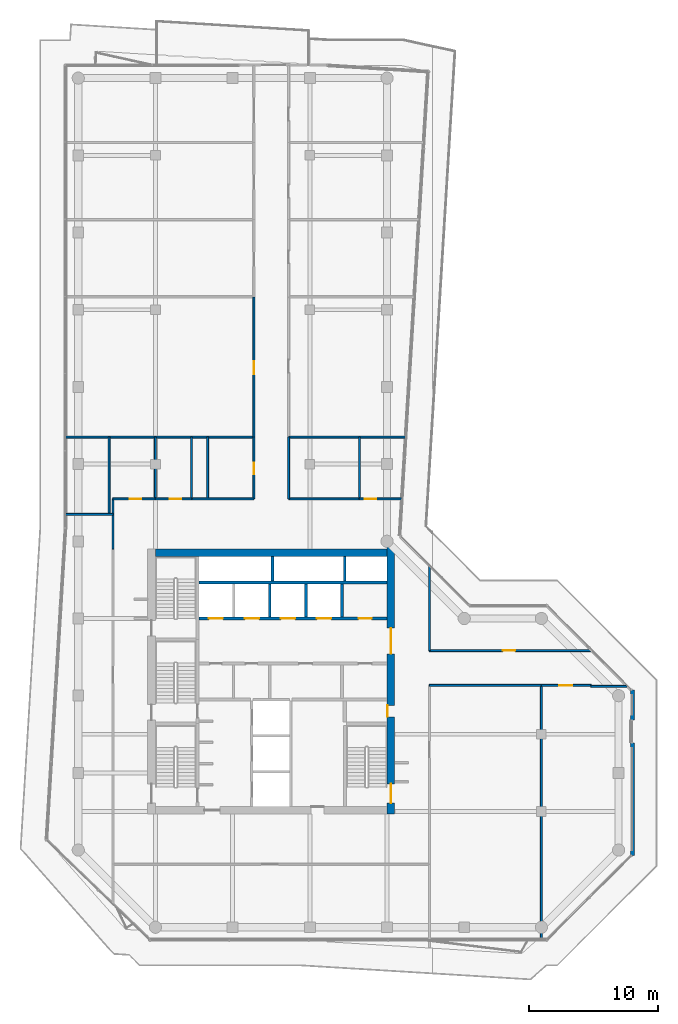
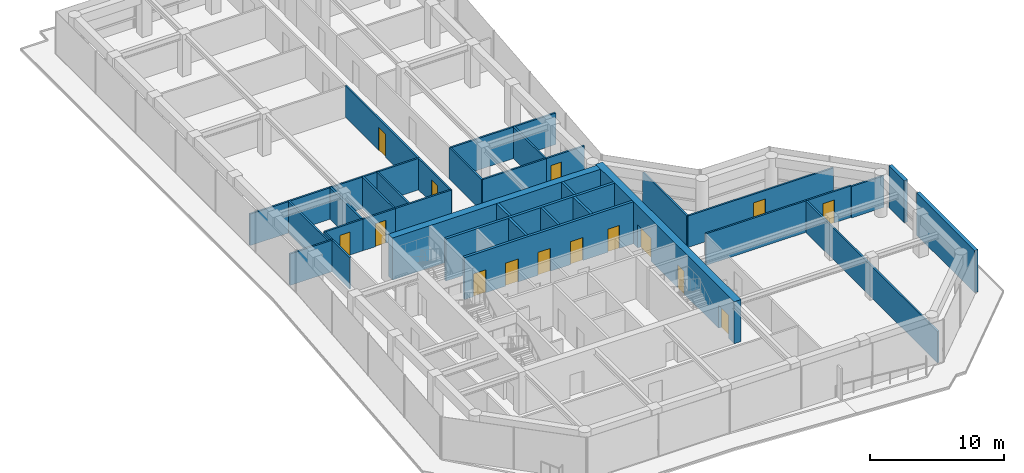
# One storey, part 19 of 22: 34 walls, 15 doors, 15 openings.
"""IFC4 building model written with IfcOpenShell, lengths in metres."""

from ifc_helpers import new_model, si_unit, direction, frame, frame_2d, origin, place, context, subcontext, project, spatial, rectangle, extrude, material, layer, layer_set, type_object, element, fill, save


model = new_model("IFC4")

# Units and contexts
model_context = context("Model", 3, precision=1e-05, world=origin(), true_north=direction((0.0, 1.0)))
body_context = subcontext(model_context, "Body", "Model", "MODEL_VIEW")
ifc_project = project(units=[si_unit("LENGTHUNIT", "METRE"), si_unit("AREAUNIT", "SQUARE_METRE"), si_unit("VOLUMEUNIT", "CUBIC_METRE"), si_unit("PLANEANGLEUNIT", "RADIAN"), si_unit("MASSUNIT", "GRAM", prefix="KILO")], contexts=[model_context])

# Site, building, storey
site_placement = place(None, origin())
site = spatial("IfcSite", under=ifc_project, at=site_placement, CompositionType="ELEMENT")
building_placement = place(site_placement, origin())
building = spatial("IfcBuilding", under=site, at=building_placement, Name="Welwitschia Terrace Campus", CompositionType="ELEMENT")
storey_placement = place(building_placement, frame((0.0, 0.0, 155.0)))
storey = spatial("IfcBuildingStorey", under=building, at=storey_placement, Name="L34", CompositionType="ELEMENT", Elevation=155.0)

# Wall, openings, doors
ifc_material_1 = material(Name="Concrete C32/40", Category="concrete")
ifc_layer_1 = layer(ifc_material_1, 0.22509765625)
ifc_layer_set_1 = layer_set([ifc_layer_1], Name="Concrete C32/40")
wall_type_1 = type_object("IfcWallType", Name="Core partition 225 Concrete C32/40", PredefinedType="PARTITIONING", material=ifc_layer_set_1)
wall_1_placement = place(storey_placement, frame((24.0, 20.0, 0.0), z_axis=(0.0, 0.0, 1.0), x_axis=(-1.0, 0.0, 0.0)))
wall_1 = element("IfcWall", 1, at=wall_1_placement, inside=storey, type_object=wall_type_1, Name="Shaft wall", PredefinedType="PARTITIONING", context=body_context, shape_type="SweptSolid", body=[
    extrude(rectangle(XDim=14.60009765625, YDim=0.22509765625, at=frame_2d((7.300048828125, 0.0))), origin(), (0.0, 0.0, 1.0), 3.85009765625),
])
opening_1_placement = place(wall_1_placement, frame((12.75, 0.0, 0.0)))
opening_1 = element("IfcOpeningElement", 2, at=opening_1_placement, cuts=wall_1, Name="Opening LD", PredefinedType="OPENING", context=body_context, shape_type="SweptSolid", body=[
    extrude(rectangle(XDim=1.10009765625, YDim=2.10009765625, at=frame_2d((0.550048828125, 1.050048828125))), frame((0.0, 0.12255859375, 0.0), z_axis=(0.0, -1.0, 0.0), x_axis=(1.0, 0.0, 0.0)), (0.0, 0.0, 1.0), 0.2451171875),
])
opening_2_placement = place(wall_1_placement, frame((9.949951171875, 0.0, 0.0)))
opening_2 = element("IfcOpeningElement", 3, at=opening_2_placement, cuts=wall_1, Name="Opening LD", PredefinedType="OPENING", context=body_context, shape_type="SweptSolid", body=[
    extrude(rectangle(XDim=1.10009765625, YDim=2.10009765625, at=frame_2d((0.550048828125, 1.050048828125))), frame((0.0, 0.12255859375, 0.0), z_axis=(0.0, -1.0, 0.0), x_axis=(1.0, 0.0, 0.0)), (0.0, 0.0, 1.0), 0.2451171875),
])
opening_3_placement = place(wall_1_placement, frame((7.14990234375, 0.0, 0.0)))
opening_3 = element("IfcOpeningElement", 4, at=opening_3_placement, cuts=wall_1, Name="Opening LD", PredefinedType="OPENING", context=body_context, shape_type="SweptSolid", body=[
    extrude(rectangle(XDim=1.10009765625, YDim=2.10009765625, at=frame_2d((0.550048828125, 1.050048828125))), frame((0.0, 0.12255859375, 0.0), z_axis=(0.0, -1.0, 0.0), x_axis=(1.0, 0.0, 0.0)), (0.0, 0.0, 1.0), 0.2451171875),
])
opening_4_placement = place(wall_1_placement, frame((4.35009765625, 0.0, 0.0)))
opening_4 = element("IfcOpeningElement", 5, at=opening_4_placement, cuts=wall_1, Name="Opening LD", PredefinedType="OPENING", context=body_context, shape_type="SweptSolid", body=[
    extrude(rectangle(XDim=1.10009765625, YDim=2.10009765625, at=frame_2d((0.550048828125, 1.050048828125))), frame((0.0, 0.12255859375, 0.0), z_axis=(0.0, -1.0, 0.0), x_axis=(1.0, 0.0, 0.0)), (0.0, 0.0, 1.0), 0.2451171875),
])
opening_5_placement = place(wall_1_placement, frame((1.199951171875, 0.0, 0.0)))
opening_5 = element("IfcOpeningElement", 6, at=opening_5_placement, cuts=wall_1, Name="Opening DR10", PredefinedType="OPENING", context=body_context, shape_type="SweptSolid", body=[
    extrude(rectangle(XDim=1.0, YDim=2.10009765625, at=frame_2d((0.5, 1.050048828125))), frame((0.0, 0.12255859375, 0.0), z_axis=(0.0, -1.0, 0.0), x_axis=(1.0, 0.0, 0.0)), (0.0, 0.0, 1.0), 0.2451171875),
])
ifc_material_2 = material(Name="Steel S275", Category="steel")
door_type_1 = type_object("IfcDoorType", Name="Core door DR10", OperationType="SINGLE_SWING_LEFT", PredefinedType="DOOR", material=ifc_material_2)
door_1_placement = place(opening_5_placement, origin())
door_1 = element("IfcDoor", 7, at=door_1_placement, inside=storey, type_object=door_type_1, Name="Door EH-D", OperationType="SINGLE_SWING_LEFT", OverallHeight=2.10009765625, OverallWidth=1.0, PredefinedType="DOOR", context=body_context, shape_type="SweptSolid", body=[
    extrude(rectangle(XDim=1.0, YDim=2.10009765625, at=frame_2d((0.5, 1.050048828125))), frame((0.0, 0.02490234375, 0.0), z_axis=(0.0, -1.0, 0.0), x_axis=(1.0, 0.0, 0.0)), (0.0, 0.0, 1.0), 0.050048828125),
])
fill(opening_5, door_1)
ifc_material_3 = material(Name="Stainless steel 304", Category="steel")
door_type_2 = type_object("IfcDoorType", Name="Lift landing door", OperationType="DOUBLE_DOOR_SLIDING", PredefinedType="DOOR", material=ifc_material_3)
door_2_placement = place(opening_1_placement, origin())
door_2 = element("IfcDoor", 8, at=door_2_placement, inside=storey, type_object=door_type_2, Name="Landing door HR1", OperationType="DOUBLE_DOOR_SLIDING", OverallHeight=2.10009765625, OverallWidth=1.10009765625, PredefinedType="DOOR", context=body_context, shape_type="SweptSolid", body=[
    extrude(rectangle(XDim=1.10009765625, YDim=2.10009765625, at=frame_2d((0.550048828125, 1.050048828125))), frame((0.0, 0.02490234375, 0.0), z_axis=(0.0, -1.0, 0.0), x_axis=(1.0, 0.0, 0.0)), (0.0, 0.0, 1.0), 0.050048828125),
])
fill(opening_1, door_2)
door_3_placement = place(opening_2_placement, origin())
door_3 = element("IfcDoor", 9, at=door_3_placement, inside=storey, type_object=door_type_2, Name="Landing door HR2", OperationType="DOUBLE_DOOR_SLIDING", OverallHeight=2.10009765625, OverallWidth=1.10009765625, PredefinedType="DOOR", context=body_context, shape_type="SweptSolid", body=[
    extrude(rectangle(XDim=1.10009765625, YDim=2.10009765625, at=frame_2d((0.550048828125, 1.050048828125))), frame((0.0, 0.02490234375, 0.0), z_axis=(0.0, -1.0, 0.0), x_axis=(1.0, 0.0, 0.0)), (0.0, 0.0, 1.0), 0.050048828125),
])
fill(opening_2, door_3)
door_4_placement = place(opening_3_placement, origin())
door_4 = element("IfcDoor", 10, at=door_4_placement, inside=storey, type_object=door_type_2, Name="Landing door HR3", OperationType="DOUBLE_DOOR_SLIDING", OverallHeight=2.10009765625, OverallWidth=1.10009765625, PredefinedType="DOOR", context=body_context, shape_type="SweptSolid", body=[
    extrude(rectangle(XDim=1.10009765625, YDim=2.10009765625, at=frame_2d((0.550048828125, 1.050048828125))), frame((0.0, 0.02490234375, 0.0), z_axis=(0.0, -1.0, 0.0), x_axis=(1.0, 0.0, 0.0)), (0.0, 0.0, 1.0), 0.050048828125),
])
fill(opening_3, door_4)
door_5_placement = place(opening_4_placement, origin())
door_5 = element("IfcDoor", 11, at=door_5_placement, inside=storey, type_object=door_type_2, Name="Landing door HR4", OperationType="DOUBLE_DOOR_SLIDING", OverallHeight=2.10009765625, OverallWidth=1.10009765625, PredefinedType="DOOR", context=body_context, shape_type="SweptSolid", body=[
    extrude(rectangle(XDim=1.10009765625, YDim=2.10009765625, at=frame_2d((0.550048828125, 1.050048828125))), frame((0.0, 0.02490234375, 0.0), z_axis=(0.0, -1.0, 0.0), x_axis=(1.0, 0.0, 0.0)), (0.0, 0.0, 1.0), 0.050048828125),
])
fill(opening_4, door_5)

# Walls
wall_2_placement = place(storey_placement, frame((9.39990234375, 22.800048828125, 0.0), z_axis=(0.0, 0.0, 1.0), x_axis=(1.0, 0.0, 0.0)))
element("IfcWall", 12, at=wall_2_placement, inside=storey, type_object=wall_type_1, Name="Shaft wall", PredefinedType="PARTITIONING", context=body_context, shape_type="SweptSolid", body=[
    extrude(rectangle(XDim=14.60009765625, YDim=0.22509765625, at=frame_2d((7.300048828125, 0.0))), origin(), (0.0, 0.0, 1.0), 3.85009765625),
])
wall_3_placement = place(storey_placement, frame((20.5, 20.10009765625, 0.0), z_axis=(0.0, 0.0, 1.0), x_axis=(0.0, 1.0, 0.0)))
element("IfcWall", 13, at=wall_3_placement, inside=storey, type_object=wall_type_1, Name="Shaft wall", PredefinedType="PARTITIONING", context=body_context, shape_type="SweptSolid", body=[
    extrude(rectangle(XDim=2.599853515625, YDim=0.22509765625, at=frame_2d((1.2998046875, 0.0))), origin(), (0.0, 0.0, 1.0), 3.85009765625),
])
ifc_material_4 = material(Name="Concrete C50/60", Category="concrete")
ifc_layer_2 = layer(ifc_material_4, 0.199951171875)
ifc_layer_set_2 = layer_set([ifc_layer_2], Name="Concrete C50/60")
wall_type_2 = type_object("IfcWallType", Name="Core wall 200 Concrete C50/60", PredefinedType="SHEAR", material=ifc_layer_set_2)
for number, where, z_axis, x_axis, name in (
    (14, (15.10009765625, 22.89990234375, 0.0), (0.0, 0.0, 1.0), (0.0, 1.0, 0.0), "Core wall"),
    (15, (20.699951171875, 22.89990234375, 0.0), (0.0, 0.0, 1.0), (0.0, 1.0, 0.0), "Core wall"),
):
    element("IfcWall", number, at=place(storey_placement, frame(where, z_axis=z_axis, x_axis=x_axis)), inside=storey, type_object=wall_type_2, Name=name, PredefinedType="SHEAR", context=body_context, shape_type="SweptSolid", body=[
        extrude(rectangle(XDim=1.900146484375, YDim=0.199951171875, at=frame_2d((0.9501953125, 0.0))), origin(), (0.0, 0.0, 1.0), 3.85009765625),
    ])

# Wall, openings, doors
ifc_material_5 = material(Name="Concrete C60/75", Category="concrete")
ifc_layer_3 = layer(ifc_material_5, 0.60009765625)
ifc_layer_set_3 = layer_set([ifc_layer_3], Name="Concrete C60/75")
wall_type_3 = type_object("IfcWallType", Name="Core wall 600 Concrete C60/75", PredefinedType="SHEAR", material=ifc_layer_set_3)
wall_4_placement = place(storey_placement, frame((24.300048828125, 25.554931640625, 0.0), z_axis=(0.0, 0.0, 1.0), x_axis=(0.0, -1.0, 0.0)))
wall_4 = element("IfcWall", 16, at=wall_4_placement, inside=storey, type_object=wall_type_3, Name="Core outer wall", PredefinedType="SHEAR", context=body_context, shape_type="SweptSolid", body=[
    extrude(rectangle(XDim=20.7548828125, YDim=0.60009765625, at=frame_2d((10.37744140625, 0.0))), origin(), (0.0, 0.0, 1.0), 3.85009765625),
])
opening_6_placement = place(wall_4_placement, frame((18.405029296875, 0.0, 0.0)))
opening_6 = element("IfcOpeningElement", 17, at=opening_6_placement, cuts=wall_4, Name="Opening DS15", PredefinedType="OPENING", context=body_context, shape_type="SweptSolid", body=[
    extrude(rectangle(XDim=1.5, YDim=2.10009765625, at=frame_2d((0.75, 1.050048828125))), frame((0.0, 0.31005859375, 0.0), z_axis=(0.0, -1.0, 0.0), x_axis=(1.0, 0.0, 0.0)), (0.0, 0.0, 1.0), 0.6201171875),
])
opening_7_placement = place(wall_4_placement, frame((12.304931640625, 0.0, 0.0)))
opening_7 = element("IfcOpeningElement", 18, at=opening_7_placement, cuts=wall_4, Name="Opening DR09", PredefinedType="OPENING", context=body_context, shape_type="SweptSolid", body=[
    extrude(rectangle(XDim=0.89990234375, YDim=2.10009765625, at=frame_2d((0.449951171875, 1.050048828125))), frame((0.0, 0.31005859375, 0.0), z_axis=(0.0, -1.0, 0.0), x_axis=(1.0, 0.0, 0.0)), (0.0, 0.0, 1.0), 0.6201171875),
])
opening_8_placement = place(wall_4_placement, frame((6.304931640625, 0.0, 0.0)))
opening_8 = element("IfcOpeningElement", 19, at=opening_8_placement, cuts=wall_4, Name="Opening DL20", PredefinedType="OPENING", context=body_context, shape_type="SweptSolid", body=[
    extrude(rectangle(XDim=2.0, YDim=2.10009765625, at=frame_2d((1.0, 1.050048828125))), frame((0.0, 0.31005859375, 0.0), z_axis=(0.0, -1.0, 0.0), x_axis=(1.0, 0.0, 0.0)), (0.0, 0.0, 1.0), 0.6201171875),
])
ifc_material_6 = material(Name="Steel S275", Category="steel")
door_type_3 = type_object("IfcDoorType", Name="Core door DL20", OperationType="DOUBLE_DOOR_SINGLE_SWING", PredefinedType="DOOR", material=ifc_material_6)
door_6_placement = place(opening_8_placement, origin())
door_6 = element("IfcDoor", 20, at=door_6_placement, inside=storey, type_object=door_type_3, Name="Door LOBBY-out", OperationType="DOUBLE_DOOR_SINGLE_SWING", OverallHeight=2.10009765625, OverallWidth=2.0, PredefinedType="DOOR", context=body_context, shape_type="SweptSolid", body=[
    extrude(rectangle(XDim=2.0, YDim=2.10009765625, at=frame_2d((1.0, 1.050048828125))), frame((0.0, 0.02490234375, 0.0), z_axis=(0.0, -1.0, 0.0), x_axis=(1.0, 0.0, 0.0)), (0.0, 0.0, 1.0), 0.050048828125),
])
fill(opening_8, door_6)
ifc_material_7 = material(Name="Steel S275", Category="steel")
door_type_4 = type_object("IfcDoorType", Name="Core door DR09", OperationType="SINGLE_SWING_LEFT", PredefinedType="DOOR", material=ifc_material_7)
door_7_placement = place(opening_7_placement, origin())
door_7 = element("IfcDoor", 21, at=door_7_placement, inside=storey, type_object=door_type_4, Name="Door F1B-out", OperationType="SINGLE_SWING_RIGHT", OverallHeight=2.10009765625, OverallWidth=0.89990234375, PredefinedType="DOOR", context=body_context, shape_type="SweptSolid", body=[
    extrude(rectangle(XDim=0.89990234375, YDim=2.10009765625, at=frame_2d((0.449951171875, 1.050048828125))), frame((0.0, -0.23974609375, 0.0), z_axis=(0.0, -1.0, 0.0), x_axis=(1.0, 0.0, 0.0)), (0.0, 0.0, 1.0), 0.050048828125),
])
fill(opening_7, door_7)
ifc_material_8 = material(Name="Steel S275", Category="steel")
door_type_5 = type_object("IfcDoorType", Name="Core door DS15", OperationType="DOUBLE_DOOR_SINGLE_SWING", PredefinedType="DOOR", material=ifc_material_8)
door_8_placement = place(opening_6_placement, origin())
door_8 = element("IfcDoor", 22, at=door_8_placement, inside=storey, type_object=door_type_5, Name="Door S2-out", OperationType="DOUBLE_DOOR_SINGLE_SWING", OverallHeight=2.10009765625, OverallWidth=1.5, PredefinedType="DOOR", context=body_context, shape_type="SweptSolid", body=[
    extrude(rectangle(XDim=1.5, YDim=2.10009765625, at=frame_2d((0.75, 1.050048828125))), frame((0.0, 0.02490234375, 0.0), z_axis=(0.0, -1.0, 0.0), x_axis=(1.0, 0.0, 0.0)), (0.0, 0.0, 1.0), 0.050048828125),
])
fill(opening_6, door_8)

# Walls
wall_5_placement = place(storey_placement, frame((6.0, 25.10009765625, 0.0), z_axis=(0.0, 0.0, 1.0), x_axis=(1.0, 0.0, 0.0)))
element("IfcWall", 23, at=wall_5_placement, inside=storey, type_object=wall_type_3, Name="Core outer wall", PredefinedType="SHEAR", context=body_context, shape_type="SweptSolid", body=[
    extrude(rectangle(XDim=18.0, YDim=0.60009765625, at=frame_2d((9.0, 0.0))), origin(), (0.0, 0.0, 1.0), 3.85009765625),
])
ifc_material_9 = material(Name="Gypsum board on steel studs", Category="steel")
ifc_layer_4 = layer(ifc_material_9, 0.14990234375)
ifc_layer_set_4 = layer_set([ifc_layer_4], Name="Gypsum board on steel studs")
wall_type_4 = type_object("IfcWallType", Name="Corridor partition 150 EI 30", PredefinedType="PARTITIONING", material=ifc_layer_set_4)
wall_6_placement = place(storey_placement, frame((-0.97998046875, 28.10009765625, 0.0), z_axis=(0.0, 0.0, 1.0), x_axis=(1.0, 0.0, 0.0)))
element("IfcWall", 24, at=wall_6_placement, inside=storey, type_object=wall_type_4, Name="Partition", PredefinedType="PARTITIONING", context=body_context, shape_type="SweptSolid", body=[
    extrude(rectangle(XDim=3.679931640625, YDim=0.14990234375, at=frame_2d((1.83984375, 0.0))), origin(), (0.0, 0.0, 1.0), 2.8798828125),
])
wall_7_placement = place(storey_placement, frame((-0.97998046875, 34.10009765625, 0.0), z_axis=(0.0, 0.0, 1.0), x_axis=(1.0, 0.0, 0.0)))
element("IfcWall", 25, at=wall_7_placement, inside=storey, type_object=wall_type_4, Name="Partition", PredefinedType="PARTITIONING", context=body_context, shape_type="SweptSolid", body=[
    extrude(rectangle(XDim=14.6298828125, YDim=0.14990234375, at=frame_2d((7.31494140625, 0.0))), origin(), (0.0, 0.0, 1.0), 2.8798828125),
])
wall_8_placement = place(storey_placement, frame((2.39990234375, 28.10009765625, 0.0), z_axis=(0.0, 0.0, 1.0), x_axis=(0.0, 1.0, 0.0)))
element("IfcWall", 26, at=wall_8_placement, inside=storey, type_object=wall_type_4, Name="Partition", PredefinedType="PARTITIONING", context=body_context, shape_type="SweptSolid", body=[
    extrude(rectangle(XDim=6.0, YDim=0.14990234375, at=frame_2d((3.0, 0.0))), origin(), (0.0, 0.0, 1.0), 2.8798828125),
])
wall_9_placement = place(storey_placement, frame((2.699951171875, 25.39990234375, 0.0), z_axis=(0.0, 0.0, 1.0), x_axis=(0.0, 1.0, 0.0)))
element("IfcWall", 27, at=wall_9_placement, inside=storey, type_object=wall_type_4, Name="Partition", PredefinedType="PARTITIONING", context=body_context, shape_type="SweptSolid", body=[
    extrude(rectangle(XDim=3.900146484375, YDim=0.14990234375, at=frame_2d((1.9501953125, 0.0))), origin(), (0.0, 0.0, 1.0), 2.8798828125),
])

# Wall, opening, door
wall_10_placement = place(storey_placement, frame((2.699951171875, 29.300048828125, 0.0), z_axis=(0.0, 0.0, 1.0), x_axis=(1.0, 0.0, 0.0)))
wall_10 = element("IfcWall", 28, at=wall_10_placement, inside=storey, type_object=wall_type_4, Name="Partition", PredefinedType="PARTITIONING", context=body_context, shape_type="SweptSolid", body=[
    extrude(rectangle(XDim=3.300048828125, YDim=0.14990234375, at=frame_2d((1.64990234375, 0.0))), origin(), (0.0, 0.0, 1.0), 2.8798828125),
])
opening_9_placement = place(wall_10_placement, frame((1.300048828125, 0.0, 0.0)))
opening_9 = element("IfcOpeningElement", 29, at=opening_9_placement, cuts=wall_10, Name="Opening DI09", PredefinedType="OPENING", context=body_context, shape_type="SweptSolid", body=[
    extrude(rectangle(XDim=0.89990234375, YDim=2.10009765625, at=frame_2d((0.449951171875, 1.050048828125))), frame((0.0, 0.0849609375, 0.0), z_axis=(0.0, -1.0, 0.0), x_axis=(1.0, 0.0, 0.0)), (0.0, 0.0, 1.0), 0.169921875),
])
ifc_material_10 = material(Name="Timber veneered door", Category="wood")
door_type_6 = type_object("IfcDoorType", Name="Interior door DI09", OperationType="NOTDEFINED", PredefinedType="DOOR", material=ifc_material_10)
door_9_placement = place(opening_9_placement, origin())
door_9 = element("IfcDoor", 30, at=door_9_placement, inside=storey, type_object=door_type_6, Name="Door L34 694", OperationType="SINGLE_SWING_LEFT", OverallHeight=2.10009765625, OverallWidth=0.89990234375, PredefinedType="DOOR", context=body_context, shape_type="SweptSolid", body=[
    extrude(rectangle(XDim=0.89990234375, YDim=2.10009765625, at=frame_2d((0.449951171875, 1.050048828125))), frame((0.0, 0.02490234375, 0.0), z_axis=(0.0, -1.0, 0.0), x_axis=(1.0, 0.0, 0.0)), (0.0, 0.0, 1.0), 0.050048828125),
])
fill(opening_9, door_9)

# Wall
wall_11_placement = place(storey_placement, frame((6.0, 29.300048828125, 0.0), z_axis=(0.0, 0.0, 1.0), x_axis=(0.0, 1.0, 0.0)))
element("IfcWall", 31, at=wall_11_placement, inside=storey, type_object=wall_type_4, Name="Partition", PredefinedType="PARTITIONING", context=body_context, shape_type="SweptSolid", body=[
    extrude(rectangle(XDim=4.800048828125, YDim=0.14990234375, at=frame_2d((2.39990234375, 0.0))), origin(), (0.0, 0.0, 1.0), 2.8798828125),
])

# Wall, opening, door
wall_12_placement = place(storey_placement, frame((6.0, 29.300048828125, 0.0), z_axis=(0.0, 0.0, 1.0), x_axis=(1.0, 0.0, 0.0)))
wall_12 = element("IfcWall", 32, at=wall_12_placement, inside=storey, type_object=wall_type_4, Name="Partition", PredefinedType="PARTITIONING", context=body_context, shape_type="SweptSolid", body=[
    extrude(rectangle(XDim=2.800048828125, YDim=0.14990234375, at=frame_2d((1.39990234375, 0.0))), origin(), (0.0, 0.0, 1.0), 2.8798828125),
])
opening_10_placement = place(wall_12_placement, frame((1.10009765625, 0.0, 0.0)))
opening_10 = element("IfcOpeningElement", 33, at=opening_10_placement, cuts=wall_12, Name="Opening DI09", PredefinedType="OPENING", context=body_context, shape_type="SweptSolid", body=[
    extrude(rectangle(XDim=0.89990234375, YDim=2.10009765625, at=frame_2d((0.449951171875, 1.050048828125))), frame((0.0, 0.0849609375, 0.0), z_axis=(0.0, -1.0, 0.0), x_axis=(1.0, 0.0, 0.0)), (0.0, 0.0, 1.0), 0.169921875),
])
door_10_placement = place(opening_10_placement, origin())
door_10 = element("IfcDoor", 34, at=door_10_placement, inside=storey, type_object=door_type_6, Name="Door L34 695", OperationType="SINGLE_SWING_RIGHT", OverallHeight=2.10009765625, OverallWidth=0.89990234375, PredefinedType="DOOR", context=body_context, shape_type="SweptSolid", body=[
    extrude(rectangle(XDim=0.89990234375, YDim=2.10009765625, at=frame_2d((0.449951171875, 1.050048828125))), frame((0.0, 0.02490234375, 0.0), z_axis=(0.0, -1.0, 0.0), x_axis=(1.0, 0.0, 0.0)), (0.0, 0.0, 1.0), 0.050048828125),
])
fill(opening_10, door_10)

# Walls
wall_13_placement = place(storey_placement, frame((8.800048828125, 29.300048828125, 0.0), z_axis=(0.0, 0.0, 1.0), x_axis=(0.0, 1.0, 0.0)))
element("IfcWall", 35, at=wall_13_placement, inside=storey, type_object=wall_type_4, Name="Partition", PredefinedType="PARTITIONING", context=body_context, shape_type="SweptSolid", body=[
    extrude(rectangle(XDim=4.800048828125, YDim=0.14990234375, at=frame_2d((2.39990234375, 0.0))), origin(), (0.0, 0.0, 1.0), 2.8798828125),
])
wall_14_placement = place(storey_placement, frame((8.800048828125, 29.300048828125, 0.0), z_axis=(0.0, 0.0, 1.0), x_axis=(1.0, 0.0, 0.0)))
element("IfcWall", 36, at=wall_14_placement, inside=storey, type_object=wall_type_4, Name="Partition", PredefinedType="PARTITIONING", context=body_context, shape_type="SweptSolid", body=[
    extrude(rectangle(XDim=4.849853515625, YDim=0.14990234375, at=frame_2d((2.4248046875, 0.0))), origin(), (0.0, 0.0, 1.0), 2.8798828125),
])
wall_15_placement = place(storey_placement, frame((10.050048828125, 29.300048828125, 0.0), z_axis=(0.0, 0.0, 1.0), x_axis=(0.0, 1.0, 0.0)))
element("IfcWall", 37, at=wall_15_placement, inside=storey, type_object=wall_type_4, Name="Partition", PredefinedType="PARTITIONING", context=body_context, shape_type="SweptSolid", body=[
    extrude(rectangle(XDim=4.800048828125, YDim=0.14990234375, at=frame_2d((2.39990234375, 0.0))), origin(), (0.0, 0.0, 1.0), 2.8798828125),
])

# Wall, opening, door
wall_16_placement = place(storey_placement, frame((13.64990234375, 29.300048828125, 0.0), z_axis=(0.0, 0.0, 1.0), x_axis=(0.0, 1.0, 0.0)))
wall_16 = element("IfcWall", 38, at=wall_16_placement, inside=storey, type_object=wall_type_4, Name="Partition", PredefinedType="PARTITIONING", context=body_context, shape_type="SweptSolid", body=[
    extrude(rectangle(XDim=4.800048828125, YDim=0.14990234375, at=frame_2d((2.39990234375, 0.0))), origin(), (0.0, 0.0, 1.0), 2.8798828125),
])
opening_11_placement = place(wall_16_placement, frame((1.89990234375, 0.0, 0.0)))
opening_11 = element("IfcOpeningElement", 39, at=opening_11_placement, cuts=wall_16, Name="Opening DI09", PredefinedType="OPENING", context=body_context, shape_type="SweptSolid", body=[
    extrude(rectangle(XDim=0.89990234375, YDim=2.10009765625, at=frame_2d((0.449951171875, 1.050048828125))), frame((0.0, 0.0849609375, 0.0), z_axis=(0.0, -1.0, 0.0), x_axis=(1.0, 0.0, 0.0)), (0.0, 0.0, 1.0), 0.169921875),
])
door_11_placement = place(opening_11_placement, origin())
door_11 = element("IfcDoor", 40, at=door_11_placement, inside=storey, type_object=door_type_6, Name="Door L34 696", OperationType="SINGLE_SWING_LEFT", OverallHeight=2.10009765625, OverallWidth=0.89990234375, PredefinedType="DOOR", context=body_context, shape_type="SweptSolid", body=[
    extrude(rectangle(XDim=0.89990234375, YDim=2.10009765625, at=frame_2d((0.449951171875, 1.050048828125))), frame((0.0, 0.02490234375, 0.0), z_axis=(0.0, -1.0, 0.0), x_axis=(1.0, 0.0, 0.0)), (0.0, 0.0, 1.0), 0.050048828125),
])
fill(opening_11, door_11)

wall_17_placement = place(storey_placement, frame((13.64990234375, 34.10009765625, 0.0), z_axis=(0.0, 0.0, 1.0), x_axis=(0.0, 1.0, 0.0)))
wall_17 = element("IfcWall", 41, at=wall_17_placement, inside=storey, type_object=wall_type_4, Name="Partition", PredefinedType="PARTITIONING", context=body_context, shape_type="SweptSolid", body=[
    extrude(rectangle(XDim=10.89990234375, YDim=0.14990234375, at=frame_2d((5.449951171875, 0.0))), origin(), (0.0, 0.0, 1.0), 2.8798828125),
])
opening_12_placement = place(wall_17_placement, frame((4.89990234375, 0.0, 0.0)))
opening_12 = element("IfcOpeningElement", 42, at=opening_12_placement, cuts=wall_17, Name="Opening DI10", PredefinedType="OPENING", context=body_context, shape_type="SweptSolid", body=[
    extrude(rectangle(XDim=1.0, YDim=2.10009765625, at=frame_2d((0.5, 1.050048828125))), frame((0.0, 0.0849609375, 0.0), z_axis=(0.0, -1.0, 0.0), x_axis=(1.0, 0.0, 0.0)), (0.0, 0.0, 1.0), 0.169921875),
])
ifc_material_11 = material(Name="Timber veneered door", Category="wood")
door_type_7 = type_object("IfcDoorType", Name="Interior door DI10", OperationType="NOTDEFINED", PredefinedType="DOOR", material=ifc_material_11)
door_12_placement = place(opening_12_placement, origin())
door_12 = element("IfcDoor", 43, at=door_12_placement, inside=storey, type_object=door_type_7, Name="Door L34 697", OperationType="SINGLE_SWING_RIGHT", OverallHeight=2.10009765625, OverallWidth=1.0, PredefinedType="DOOR", context=body_context, shape_type="SweptSolid", body=[
    extrude(rectangle(XDim=1.0, YDim=2.10009765625, at=frame_2d((0.5, 1.050048828125))), frame((0.0, 0.02490234375, 0.0), z_axis=(0.0, -1.0, 0.0), x_axis=(1.0, 0.0, 0.0)), (0.0, 0.0, 1.0), 0.050048828125),
])
fill(opening_12, door_12)

# Walls
wall_18_placement = place(storey_placement, frame((16.35009765625, 29.300048828125, 0.0), z_axis=(0.0, 0.0, 1.0), x_axis=(0.0, 1.0, 0.0)))
element("IfcWall", 44, at=wall_18_placement, inside=storey, type_object=wall_type_4, Name="Partition", PredefinedType="PARTITIONING", context=body_context, shape_type="SweptSolid", body=[
    extrude(rectangle(XDim=4.800048828125, YDim=0.14990234375, at=frame_2d((2.39990234375, 0.0))), origin(), (0.0, 0.0, 1.0), 2.8798828125),
])
wall_19_placement = place(storey_placement, frame((16.35009765625, 29.300048828125, 0.0), z_axis=(0.0, 0.0, 1.0), x_axis=(1.0, 0.0, 0.0)))
element("IfcWall", 45, at=wall_19_placement, inside=storey, type_object=wall_type_4, Name="Partition", PredefinedType="PARTITIONING", context=body_context, shape_type="SweptSolid", body=[
    extrude(rectangle(XDim=5.510009765625, YDim=0.14990234375, at=frame_2d((2.7548828125, 0.0))), origin(), (0.0, 0.0, 1.0), 2.8798828125),
])
wall_20_placement = place(storey_placement, frame((16.35009765625, 34.10009765625, 0.0), z_axis=(0.0, 0.0, 1.0), x_axis=(1.0, 0.0, 0.0)))
element("IfcWall", 46, at=wall_20_placement, inside=storey, type_object=wall_type_4, Name="Partition", PredefinedType="PARTITIONING", context=body_context, shape_type="SweptSolid", body=[
    extrude(rectangle(XDim=9.10986328125, YDim=0.14990234375, at=frame_2d((4.554931640625, 0.0))), origin(), (0.0, 0.0, 1.0), 2.8798828125),
])
wall_21_placement = place(storey_placement, frame((21.860107421875, 29.300048828125, 0.0), z_axis=(0.0, 0.0, 1.0), x_axis=(0.0, 1.0, 0.0)))
element("IfcWall", 47, at=wall_21_placement, inside=storey, type_object=wall_type_4, Name="Partition", PredefinedType="PARTITIONING", context=body_context, shape_type="SweptSolid", body=[
    extrude(rectangle(XDim=4.800048828125, YDim=0.14990234375, at=frame_2d((2.39990234375, 0.0))), origin(), (0.0, 0.0, 1.0), 2.8798828125),
])

# Wall, opening, door
wall_22_placement = place(storey_placement, frame((21.860107421875, 29.300048828125, 0.0), z_axis=(0.0, 0.0, 1.0), x_axis=(1.0, 0.0, 0.0)))
wall_22 = element("IfcWall", 48, at=wall_22_placement, inside=storey, type_object=wall_type_4, Name="Partition", PredefinedType="PARTITIONING", context=body_context, shape_type="SweptSolid", body=[
    extrude(rectangle(XDim=3.309814453125, YDim=0.14990234375, at=frame_2d((1.65478515625, 0.0))), origin(), (0.0, 0.0, 1.0), 2.8798828125),
])
opening_13_placement = place(wall_22_placement, frame((0.409912109375, 0.0, 0.0)))
opening_13 = element("IfcOpeningElement", 49, at=opening_13_placement, cuts=wall_22, Name="Opening DI09", PredefinedType="OPENING", context=body_context, shape_type="SweptSolid", body=[
    extrude(rectangle(XDim=0.89990234375, YDim=2.10009765625, at=frame_2d((0.449951171875, 1.050048828125))), frame((0.0, 0.0849609375, 0.0), z_axis=(0.0, -1.0, 0.0), x_axis=(1.0, 0.0, 0.0)), (0.0, 0.0, 1.0), 0.169921875),
])
door_13_placement = place(opening_13_placement, origin())
door_13 = element("IfcDoor", 50, at=door_13_placement, inside=storey, type_object=door_type_6, Name="Door L34 705", OperationType="SINGLE_SWING_RIGHT", OverallHeight=2.10009765625, OverallWidth=0.89990234375, PredefinedType="DOOR", context=body_context, shape_type="SweptSolid", body=[
    extrude(rectangle(XDim=0.89990234375, YDim=2.10009765625, at=frame_2d((0.449951171875, 1.050048828125))), frame((0.0, 0.02490234375, 0.0), z_axis=(0.0, -1.0, 0.0), x_axis=(1.0, 0.0, 0.0)), (0.0, 0.0, 1.0), 0.050048828125),
])
fill(opening_13, door_13)

# Walls
wall_23_placement = place(storey_placement, frame((27.300048828125, 14.800048828125, 0.0), z_axis=(0.0, 0.0, 1.0), x_axis=(1.0, 0.0, 0.0)))
element("IfcWall", 51, at=wall_23_placement, inside=storey, type_object=wall_type_4, Name="Partition", PredefinedType="PARTITIONING", context=body_context, shape_type="SweptSolid", body=[
    extrude(rectangle(XDim=8.699951171875, YDim=0.14990234375, at=frame_2d((4.35009765625, 0.0))), origin(), (0.0, 0.0, 1.0), 2.8798828125),
])
wall_24_placement = place(storey_placement, frame((27.300048828125, 17.5, 0.0), z_axis=(0.0, 0.0, 1.0), x_axis=(0.0, 1.0, 0.0)))
element("IfcWall", 52, at=wall_24_placement, inside=storey, type_object=wall_type_4, Name="Partition", PredefinedType="PARTITIONING", context=body_context, shape_type="SweptSolid", body=[
    extrude(rectangle(XDim=6.580078125, YDim=0.14990234375, at=frame_2d((3.2900390625, 0.0))), origin(), (0.0, 0.0, 1.0), 2.8798828125),
])

# Wall, opening, door
wall_25_placement = place(storey_placement, frame((27.300048828125, 17.5, 0.0), z_axis=(0.0, 0.0, 1.0), x_axis=(1.0, 0.0, 0.0)))
wall_25 = element("IfcWall", 53, at=wall_25_placement, inside=storey, type_object=wall_type_4, Name="Partition", PredefinedType="PARTITIONING", context=body_context, shape_type="SweptSolid", body=[
    extrude(rectangle(XDim=12.579833984375, YDim=0.14990234375, at=frame_2d((6.2900390625, 0.0))), origin(), (0.0, 0.0, 1.0), 2.8798828125),
])
opening_14_placement = place(wall_25_placement, frame((5.679931640625, 0.0, 0.0)))
opening_14 = element("IfcOpeningElement", 54, at=opening_14_placement, cuts=wall_25, Name="Opening DI10", PredefinedType="OPENING", context=body_context, shape_type="SweptSolid", body=[
    extrude(rectangle(XDim=1.0, YDim=2.10009765625, at=frame_2d((0.5, 1.050048828125))), frame((0.0, 0.0849609375, 0.0), z_axis=(0.0, -1.0, 0.0), x_axis=(1.0, 0.0, 0.0)), (0.0, 0.0, 1.0), 0.169921875),
])
door_14_placement = place(opening_14_placement, origin())
door_14 = element("IfcDoor", 55, at=door_14_placement, inside=storey, type_object=door_type_7, Name="Door L34 708", OperationType="SINGLE_SWING_LEFT", OverallHeight=2.10009765625, OverallWidth=1.0, PredefinedType="DOOR", context=body_context, shape_type="SweptSolid", body=[
    extrude(rectangle(XDim=1.0, YDim=2.10009765625, at=frame_2d((0.5, 1.050048828125))), frame((0.0, 0.02490234375, 0.0), z_axis=(0.0, -1.0, 0.0), x_axis=(1.0, 0.0, 0.0)), (0.0, 0.0, 1.0), 0.050048828125),
])
fill(opening_14, door_14)

# Walls
wall_26_placement = place(storey_placement, frame((36.0, -4.969970703125, 0.0), z_axis=(0.0, 0.0, 1.0), x_axis=(0.0, 1.0, 0.0)))
element("IfcWall", 56, at=wall_26_placement, inside=storey, type_object=wall_type_4, Name="Partition", PredefinedType="PARTITIONING", context=body_context, shape_type="SweptSolid", body=[
    extrude(rectangle(XDim=19.77001953125, YDim=0.14990234375, at=frame_2d((9.885009765625, 0.0))), origin(), (0.0, 0.0, 1.0), 2.8798828125),
])
wall_27_placement = place(storey_placement, frame((39.840087890625, 14.719970703125, 0.0), z_axis=(0.0, 0.0, 1.0), x_axis=(1.0, 0.0, 0.0)))
element("IfcWall", 57, at=wall_27_placement, inside=storey, type_object=wall_type_4, Name="Partition", PredefinedType="PARTITIONING", context=body_context, shape_type="SweptSolid", body=[
    extrude(rectangle(XDim=2.811767578125, YDim=0.14990234375, at=frame_2d((1.40576171875, 0.0))), origin(), (0.0, 0.0, 1.0), 2.8798828125),
])

# Wall, opening, door
wall_28_placement = place(storey_placement, frame((39.8701171875, 14.800048828125, 0.0), z_axis=(0.0, 0.0, 1.0), x_axis=(-1.0, 0.0, 0.0)))
wall_28 = element("IfcWall", 58, at=wall_28_placement, inside=storey, type_object=wall_type_4, Name="Partition", PredefinedType="PARTITIONING", context=body_context, shape_type="SweptSolid", body=[
    extrude(rectangle(XDim=3.8701171875, YDim=0.14990234375, at=frame_2d((1.93505859375, 0.0))), origin(), (0.0, 0.0, 1.0), 2.8798828125),
])
opening_15_placement = place(wall_28_placement, frame((1.469970703125, 0.0, 0.0)))
opening_15 = element("IfcOpeningElement", 59, at=opening_15_placement, cuts=wall_28, Name="Opening DI10", PredefinedType="OPENING", context=body_context, shape_type="SweptSolid", body=[
    extrude(rectangle(XDim=1.0, YDim=2.10009765625, at=frame_2d((0.5, 1.050048828125))), frame((0.0, 0.0849609375, 0.0), z_axis=(0.0, -1.0, 0.0), x_axis=(1.0, 0.0, 0.0)), (0.0, 0.0, 1.0), 0.169921875),
])
door_15_placement = place(opening_15_placement, origin())
door_15 = element("IfcDoor", 60, at=door_15_placement, inside=storey, type_object=door_type_7, Name="Door L34 709", OperationType="SINGLE_SWING_RIGHT", OverallHeight=2.10009765625, OverallWidth=1.0, PredefinedType="DOOR", context=body_context, shape_type="SweptSolid", body=[
    extrude(rectangle(XDim=1.0, YDim=2.10009765625, at=frame_2d((0.5, 1.050048828125))), frame((0.0, 0.02490234375, 0.0), z_axis=(0.0, -1.0, 0.0), x_axis=(1.0, 0.0, 0.0)), (0.0, 0.0, 1.0), 0.050048828125),
])
fill(opening_15, door_15)

# Walls
ifc_material_12 = material(Name="Concrete C40/50", Category="concrete")
ifc_layer_5 = layer(ifc_material_12, 0.300048828125)
ifc_layer_set_5 = layer_set([ifc_layer_5], Name="Concrete C40/50")
wall_type_5 = type_object("IfcWallType", Name="Mass wall 300", PredefinedType="SOLIDWALL", material=ifc_layer_set_5)
wall_29_placement = place(storey_placement, frame((43.07958984375, 1.573486328125, 0.0), z_axis=(0.0, 0.0, 1.0), x_axis=(0.0, 1.0, 0.0)))
element("IfcWall", 61, at=wall_29_placement, inside=storey, type_object=wall_type_5, Name="Mass wall L34.4.0", PredefinedType="SOLIDWALL", context=body_context, shape_type="SweptSolid", body=[
    extrude(rectangle(XDim=8.73974609375, YDim=0.300048828125, at=frame_2d((4.369873046875, 0.0))), origin(), (0.0, 0.0, 1.0), 3.85009765625),
])
wall_30_placement = place(storey_placement, frame((43.07958984375, 12.11328125, 0.0), z_axis=(0.0, 0.0, 1.0), x_axis=(0.0, 1.0, 0.0)))
element("IfcWall", 62, at=wall_30_placement, inside=storey, type_object=wall_type_5, Name="Mass wall L34.4.1", PredefinedType="SOLIDWALL", context=body_context, shape_type="SweptSolid", body=[
    extrude(rectangle(XDim=2.313232421875, YDim=0.300048828125, at=frame_2d((1.15673828125, 0.0))), origin(), (0.0, 0.0, 1.0), 3.85009765625),
])
ifc_material_13 = material(Name="Concrete C32/40", Category="concrete")
ifc_layer_6 = layer(ifc_material_13, 0.199951171875)
ifc_layer_set_6 = layer_set([ifc_layer_6], Name="Concrete C32/40")
wall_type_6 = type_object("IfcWallType", Name="Shaft wall 200 Concrete C32/40", PredefinedType="SOLIDWALL", material=ifc_layer_set_6)
for number, where, z_axis, x_axis, name in (
    (63, (14.89990234375, 20.10009765625, 0.0), (0.0, 0.0, 1.0), (0.0, 1.0, 0.0), "Shaft wall"),
    (64, (17.699951171875, 20.10009765625, 0.0), (0.0, 0.0, 1.0), (0.0, 1.0, 0.0), "Shaft wall"),
):
    element("IfcWall", number, at=place(storey_placement, frame(where, z_axis=z_axis, x_axis=x_axis)), inside=storey, type_object=wall_type_6, Name=name, PredefinedType="SOLIDWALL", context=body_context, shape_type="SweptSolid", body=[
        extrude(rectangle(XDim=2.599853515625, YDim=0.199951171875, at=frame_2d((1.2998046875, 0.0))), origin(), (0.0, 0.0, 1.0), 3.85009765625),
    ])

save(model, "model.ifc")
